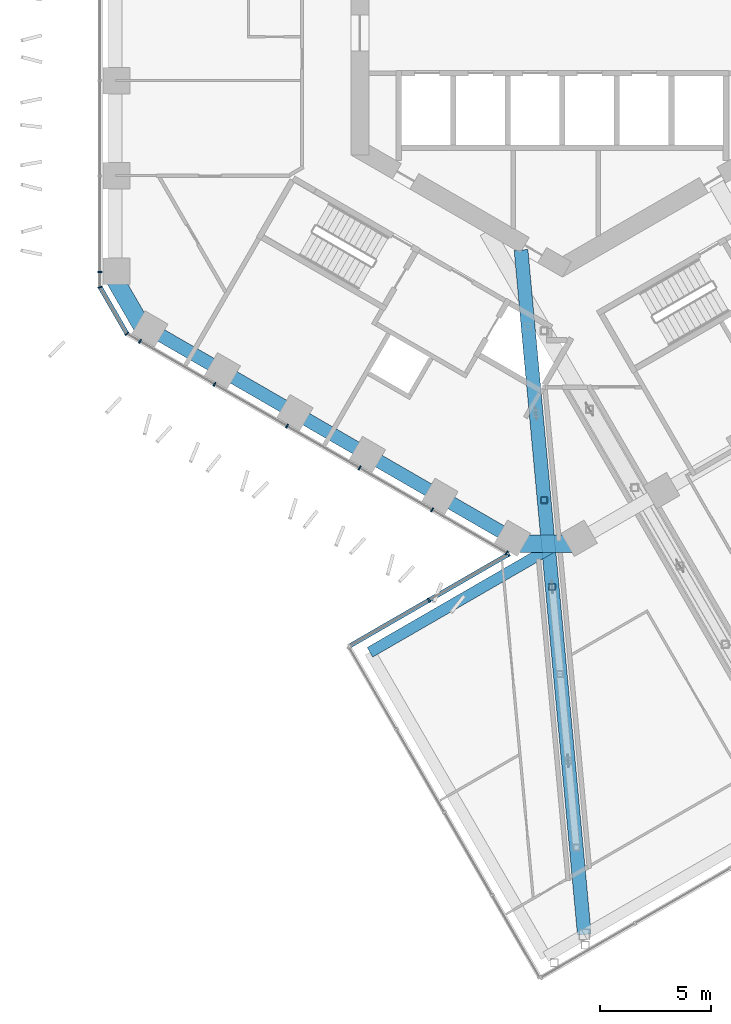
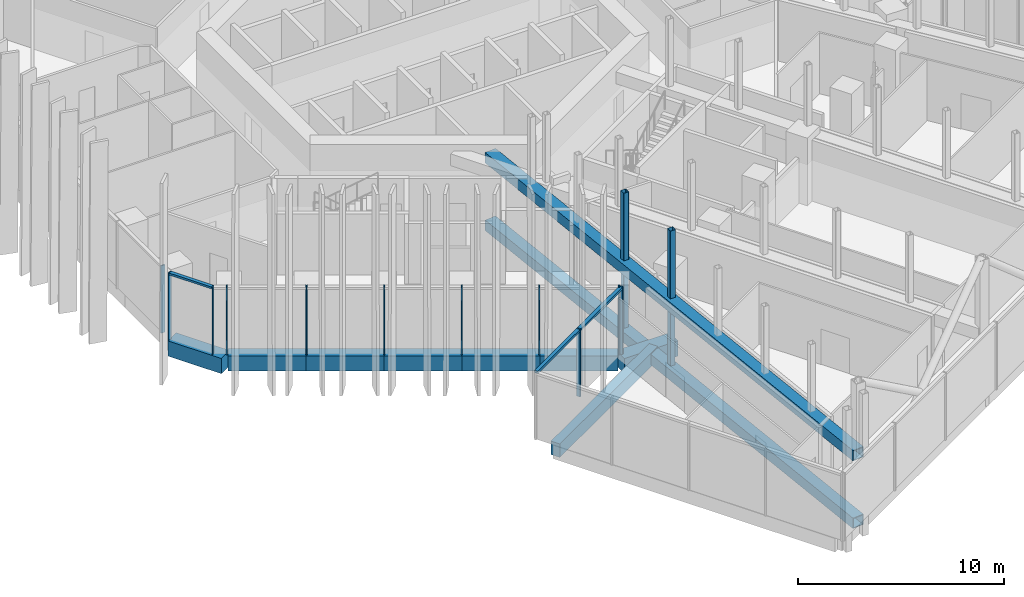
# One storey, part 3 of 29: 19 members, 8 beams, 4 elements without a shape of their own.
"""IFC4 building model written with IfcOpenShell, lengths in metres."""

from ifc_helpers import new_model, si_unit, direction, frame, origin, origin_2d, place, context, subcontext, project, spatial, rectangle, hollow_rectangle, extrude, material, layer, layer_set, material_profile, profile_set, type_object, element, aggregate, save


model = new_model("IFC4")

# Units and contexts
model_context = context("Model", 3, precision=1e-05, world=origin(), true_north=direction((0.0, 1.0)))
body_context = subcontext(model_context, "Body", "Model", "MODEL_VIEW")
ifc_project = project(units=[si_unit("LENGTHUNIT", "METRE"), si_unit("AREAUNIT", "SQUARE_METRE"), si_unit("VOLUMEUNIT", "CUBIC_METRE"), si_unit("PLANEANGLEUNIT", "RADIAN"), si_unit("MASSUNIT", "GRAM", prefix="KILO")], contexts=[model_context])

# Site, building, storey
site_placement = place(None, origin())
site = spatial("IfcSite", under=ifc_project, at=site_placement, CompositionType="ELEMENT")
building_placement = place(site_placement, origin())
building = spatial("IfcBuilding", under=site, at=building_placement, Name="Ayvan Gate Tower", CompositionType="ELEMENT")
storey_placement = place(building_placement, frame((0.0, 0.0, 66.300048828125)))
storey = spatial("IfcBuildingStorey", under=building, at=storey_placement, Name="L17", CompositionType="ELEMENT", Elevation=66.300048828125)

# Beams
ifc_material_1 = material(Name="Concrete C40/50", Category="concrete")
ifc_material_profile_1 = material_profile(ifc_material_1, rectangle(XDim=0.800048828125, YDim=0.89990234375, at=origin_2d()), Name="RC 800x900")
ifc_profile_set_1 = profile_set([ifc_material_profile_1], Name="Concrete C40/50")
beam_type_1 = type_object("IfcBeamType", Name="Corner spandrel beam RC 800x900 C40/50", PredefinedType="BEAM", material=ifc_profile_set_1)
for number, where, z_axis, x_axis, name in (
    (1, (-20.27783203125, -10.780517578125, -0.85009765625), (0.499990139034, -0.866031096941, 0.0), (0.866031096941, 0.499990139034, 0.0), "SB-L17-24"),
    (2, (-2.197265625, -22.951416015625, -0.85009765625), (1.0, 0.0, 0.0), (0.0, 1.0, 0.0), "SB-L17-30"),
):
    element("IfcBeam", number, at=place(storey_placement, frame(where, z_axis=z_axis, x_axis=x_axis)), inside=storey, type_object=beam_type_1, Name=name, PredefinedType="BEAM", context=body_context, shape_type="SweptSolid", body=[
        extrude(rectangle(XDim=0.800048828125, YDim=0.89990234375, at=origin_2d()), origin(), (0.0, 0.0, 1.0), 3.0),
    ])
ifc_material_profile_2 = material_profile(ifc_material_1, rectangle(XDim=0.5, YDim=0.800048828125, at=origin_2d()), Name="RC 500x800")
ifc_profile_set_2 = profile_set([ifc_material_profile_2], Name="Concrete C40/50")
beam_type_2 = type_object("IfcBeamType", Name="Sky bar edge beam RC 500x800 C40/50", PredefinedType="BEAM", material=ifc_profile_set_2)
beam_1_placement = place(storey_placement, frame((-8.646728515625, -27.823486328125, -0.800048828125), z_axis=(0.866027640354, 0.499996126128, 0.0), x_axis=(-0.499996126128, 0.866027640354, 0.0)))
element("IfcBeam", 3, at=beam_1_placement, inside=storey, type_object=beam_type_2, Name="EB-B1-L17-9", PredefinedType="BEAM", context=body_context, shape_type="SweptSolid", body=[
    extrude(rectangle(XDim=0.5, YDim=0.800048828125, at=origin_2d()), origin(), (0.0, 0.0, 1.0), 9.52392578125),
])

# Members
ifc_material_2 = material(Name="Steel S460ML", Category="steel")
ifc_material_profile_3 = material_profile(ifc_material_2, hollow_rectangle(XDim=0.6201171875, YDim=0.6201171875, WallThickness=0.0400390625, at=origin_2d()), Name="BOX 620x620x40")
ifc_profile_set_3 = profile_set([ifc_material_profile_3], Name="Steel S460ML")
member_type_1 = type_object("IfcMemberType", Name="Sky bar end truss chord B1 BOX 620x620x40", PredefinedType="CHORD", material=ifc_profile_set_3)
for number, where, z_axis, x_axis, name in (
    (4, (-1.859619140625, -9.754638671875, -0.75), (0.092120119857, -0.995747901588, 0.0), (0.995747901588, 0.092120119857, 0.0), "SBT1-1-BC-1"),
    (5, (-1.859619140625, -9.754638671875, 3.25), (0.092120119857, -0.995747901588, 0.0), (0.995747901588, 0.092120119857, 0.0), "SBT1-1-TC-1"),
):
    element("IfcMember", number, at=place(storey_placement, frame(where, z_axis=z_axis, x_axis=x_axis)), inside=storey, type_object=member_type_1, Name=name, PredefinedType="CHORD", context=body_context, shape_type="SweptSolid", body=[
        extrude(hollow_rectangle(XDim=0.6201171875, YDim=0.6201171875, WallThickness=0.0400390625, at=origin_2d()), origin(), (0.0, 0.0, 1.0), 30.88330078125),
    ])
ifc_material_3 = material(Name="Steel S460NH", Category="steel")
ifc_material_profile_4 = material_profile(ifc_material_3, hollow_rectangle(XDim=0.280029296875, YDim=0.280029296875, WallThickness=0.01611328125, InnerFilletRadius=0.01611328125, OuterFilletRadius=0.02392578125, at=origin_2d()), Name="RHS 280x280x16")
ifc_profile_set_4 = profile_set([ifc_material_profile_4], Name="Steel S460NH")
member_type_2 = type_object("IfcMemberType", Name="Sky bar end truss post B1 RHS 280x280x16", PredefinedType="POST", material=ifc_profile_set_4)
for number, where, z_axis, x_axis, name in (
    (6, (-0.820068359375, -20.9912109375, -0.400146484375), (0.0, 0.0, 1.0), (1.0, 0.0, 0.0), "SBT1-1-P-3"),
    (7, (-0.458984375, -24.894287109375, -0.400146484375), (0.0, 0.0, 1.0), (1.0, 0.0, 0.0), "SBT1-1-P-4"),
):
    element("IfcMember", number, at=place(storey_placement, frame(where, z_axis=z_axis, x_axis=x_axis)), inside=storey, type_object=member_type_2, Name=name, PredefinedType="POST", context=body_context, shape_type="SweptSolid", body=[
        extrude(hollow_rectangle(XDim=0.280029296875, YDim=0.280029296875, WallThickness=0.01611328125, InnerFilletRadius=0.01611328125, OuterFilletRadius=0.02392578125, at=origin_2d()), origin(), (0.0, 0.0, 1.0), 3.300048828125),
    ])
ifc_material_profile_5 = material_profile(ifc_material_3, hollow_rectangle(XDim=0.300048828125, YDim=0.300048828125, WallThickness=0.01611328125, InnerFilletRadius=0.01611328125, OuterFilletRadius=0.02392578125, at=origin_2d()), Name="RHS 300x300x16")
ifc_profile_set_5 = profile_set([ifc_material_profile_5], Name="Steel S460NH")
member_type_3 = type_object("IfcMemberType", Name="Sky bar upper post B1 RHS 300x300x16", PredefinedType="POST", material=ifc_profile_set_5)
for number, where, z_axis, x_axis, name in (
    (8, (-0.820068359375, -20.9912109375, 3.599853515625), (0.0, 0.0, 1.0), (1.0, 0.0, 0.0), "SBT1-1-U-3"),
    (9, (-0.458984375, -24.894287109375, 3.599853515625), (0.0, 0.0, 1.0), (1.0, 0.0, 0.0), "SBT1-1-U-4"),
):
    element("IfcMember", number, at=place(storey_placement, frame(where, z_axis=z_axis, x_axis=x_axis)), inside=storey, type_object=member_type_3, Name=name, PredefinedType="POST", context=body_context, shape_type="SweptSolid", body=[
        extrude(hollow_rectangle(XDim=0.300048828125, YDim=0.300048828125, WallThickness=0.01611328125, InnerFilletRadius=0.01611328125, OuterFilletRadius=0.02392578125, at=origin_2d()), origin(), (0.0, 0.0, 1.0), 4.0),
    ])

# Beams
ifc_material_profile_6 = material_profile(ifc_material_1, rectangle(XDim=0.60009765625, YDim=0.89990234375, at=origin_2d()), Name="RC 600x900")
ifc_profile_set_6 = profile_set([ifc_material_profile_6], Name="Concrete C40/50")
beam_type_3 = type_object("IfcBeamType", Name="Spandrel beam RC 600x900 C40/50", PredefinedType="BEAM", material=ifc_profile_set_6)
beam_2_placement = place(storey_placement, frame((-18.587158203125, -13.2685546875, -0.85009765625), z_axis=(0.866011569904, -0.500023960219, 0.0), x_axis=(0.500023960219, 0.866011569904, 0.0)))
element("IfcBeam", 10, at=beam_2_placement, inside=storey, type_object=beam_type_3, Name="SB-L17-25", PredefinedType="BEAM", context=body_context, shape_type="SweptSolid", body=[
    extrude(rectangle(XDim=0.60009765625, YDim=0.89990234375, at=origin_2d()), origin(), (0.0, 0.0, 1.0), 3.784912109375),
])
beam_3_placement = place(storey_placement, frame((-15.309326171875, -15.1611328125, -0.85009765625), z_axis=(0.866027695742, -0.499996030192, 0.0), x_axis=(0.499996030192, 0.866027695742, 0.0)))
element("IfcBeam", 11, at=beam_3_placement, inside=storey, type_object=beam_type_3, Name="SB-L17-26", PredefinedType="BEAM", context=body_context, shape_type="SweptSolid", body=[
    extrude(rectangle(XDim=0.60009765625, YDim=0.89990234375, at=origin_2d()), origin(), (0.0, 0.0, 1.0), 3.78515625),
])
beam_4_placement = place(storey_placement, frame((-12.03125, -17.0537109375, -0.85009765625), z_axis=(0.866011569904, -0.500023960219, 0.0), x_axis=(0.500023960219, 0.866011569904, 0.0)))
element("IfcBeam", 12, at=beam_4_placement, inside=storey, type_object=beam_type_3, Name="SB-L17-27", PredefinedType="BEAM", context=body_context, shape_type="SweptSolid", body=[
    extrude(rectangle(XDim=0.60009765625, YDim=0.89990234375, at=origin_2d()), origin(), (0.0, 0.0, 1.0), 3.784912109375),
])
for number, where, z_axis, x_axis, name in (
    (13, (-8.75341796875, -18.9462890625, -0.85009765625), (0.866027695742, -0.499996030192, 0.0), (0.499996030192, 0.866027695742, 0.0), "SB-L17-28"),
    (14, (-5.475341796875, -20.8388671875, -0.85009765625), (0.866027695742, -0.499996030192, 0.0), (0.499996030192, 0.866027695742, 0.0), "SB-L17-29"),
):
    element("IfcBeam", number, at=place(storey_placement, frame(where, z_axis=z_axis, x_axis=x_axis)), inside=storey, type_object=beam_type_3, Name=name, PredefinedType="BEAM", context=body_context, shape_type="SweptSolid", body=[
        extrude(rectangle(XDim=0.60009765625, YDim=0.89990234375, at=origin_2d()), origin(), (0.0, 0.0, 1.0), 3.78515625),
    ])

# Curtain wall, member
ifc_material_4 = material(Name="Bronze anodised aluminium", Category="aluminium")
ifc_layer_1 = layer(ifc_material_4, 0.199951171875)
ifc_layer_set_1 = layer_set([ifc_layer_1], Name="Bronze anodised aluminium")
curtain_wall_type_1 = type_object("IfcCurtainWallType", Name="Stick curtain wall CW-1", PredefinedType="NOTDEFINED", material=ifc_layer_set_1)
curtain_wall_1_placement = place(storey_placement, origin())
curtain_wall_1 = element("IfcCurtainWall", 15, at=curtain_wall_1_placement, inside=storey, type_object=curtain_wall_type_1, Name="Stick curtain wall CW-1 L17", PredefinedType="NOTDEFINED")
ifc_material_profile_7 = material_profile(ifc_material_4, rectangle(XDim=0.199951171875, YDim=0.06005859375, at=origin_2d()), Name="Stick curtain wall CW-1 mullion 200 x 60")
ifc_profile_set_7 = profile_set([ifc_material_profile_7], Name="Bronze anodised aluminium")
member_type_4 = type_object("IfcMemberType", Name="Stick curtain wall CW-1 mullion 200 x 60", PredefinedType="MULLION", material=ifc_profile_set_7)
member_1_placement = place(storey_placement, frame((-20.7724609375, -10.7412109375, 0.0), z_axis=(0.0, 0.0, 1.0), x_axis=(-1.0, 0.0, 0.0)))
member_1 = element("IfcMember", 16, at=member_1_placement, type_object=member_type_4, Name="CW-1 mullion 6", PredefinedType="MULLION", context=body_context, shape_type="SweptSolid", body=[
    extrude(rectangle(XDim=0.199951171875, YDim=0.06005859375, at=origin_2d()), origin(), (0.0, 0.0, 1.0), 4.0),
])
aggregate(curtain_wall_1, [member_1])

# Curtain wall, members
curtain_wall_2_placement = place(storey_placement, origin())
curtain_wall_2 = element("IfcCurtainWall", 17, at=curtain_wall_2_placement, inside=storey, type_object=curtain_wall_type_1, Name="Stick curtain wall CW-1 L17", PredefinedType="NOTDEFINED")
member_2_placement = place(storey_placement, frame((-18.976318359375, -13.852294921875, 0.0), z_axis=(0.0, 0.0, 1.0), x_axis=(-0.5, -0.866025403784, 0.0)))
member_2 = element("IfcMember", 18, at=member_2_placement, type_object=member_type_4, Name="CW-1 mullion 1", PredefinedType="MULLION", context=body_context, shape_type="SweptSolid", body=[
    extrude(rectangle(XDim=0.199951171875, YDim=0.06005859375, at=origin_2d()), origin(), (0.0, 0.0, 1.0), 4.0),
])
member_3_placement = place(storey_placement, frame((-15.629150390625, -15.784912109375, 0.0), z_axis=(0.0, 0.0, 1.0), x_axis=(-0.5, -0.866025403784, 0.0)))
member_3 = element("IfcMember", 19, at=member_3_placement, type_object=member_type_4, Name="CW-1 mullion 2", PredefinedType="MULLION", context=body_context, shape_type="SweptSolid", body=[
    extrude(rectangle(XDim=0.199951171875, YDim=0.06005859375, at=origin_2d()), origin(), (0.0, 0.0, 1.0), 4.0),
])
member_4_placement = place(storey_placement, frame((-12.37109375, -17.665771484375, 0.0), z_axis=(0.0, 0.0, 1.0), x_axis=(-0.5, -0.866025403784, 0.0)))
member_4 = element("IfcMember", 20, at=member_4_placement, type_object=member_type_4, Name="CW-1 mullion 3", PredefinedType="MULLION", context=body_context, shape_type="SweptSolid", body=[
    extrude(rectangle(XDim=0.199951171875, YDim=0.06005859375, at=origin_2d()), origin(), (0.0, 0.0, 1.0), 4.0),
])
member_5_placement = place(storey_placement, frame((-9.113037109375, -19.546875, 0.0), z_axis=(0.0, 0.0, 1.0), x_axis=(-0.5, -0.866025403784, 0.0)))
member_5 = element("IfcMember", 21, at=member_5_placement, type_object=member_type_4, Name="CW-1 mullion 4", PredefinedType="MULLION", context=body_context, shape_type="SweptSolid", body=[
    extrude(rectangle(XDim=0.199951171875, YDim=0.06005859375, at=origin_2d()), origin(), (0.0, 0.0, 1.0), 4.0),
])
member_6_placement = place(storey_placement, frame((-5.855224609375, -21.427734375, 0.0), z_axis=(0.0, 0.0, 1.0), x_axis=(-0.5, -0.866025403784, 0.0)))
member_6 = element("IfcMember", 22, at=member_6_placement, type_object=member_type_4, Name="CW-1 mullion 5", PredefinedType="MULLION", context=body_context, shape_type="SweptSolid", body=[
    extrude(rectangle(XDim=0.199951171875, YDim=0.06005859375, at=origin_2d()), origin(), (0.0, 0.0, 1.0), 4.0),
])
member_7_placement = place(storey_placement, frame((-2.50830078125, -23.360107421875, 0.0), z_axis=(0.0, 0.0, 1.0), x_axis=(-0.5, -0.866025403784, 0.0)))
member_7 = element("IfcMember", 23, at=member_7_placement, type_object=member_type_4, Name="CW-1 mullion 6", PredefinedType="MULLION", context=body_context, shape_type="SweptSolid", body=[
    extrude(rectangle(XDim=0.199951171875, YDim=0.06005859375, at=origin_2d()), origin(), (0.0, 0.0, 1.0), 4.0),
])
aggregate(curtain_wall_2, [member_2, member_3, member_4, member_5, member_6, member_7])

ifc_layer_2 = layer(ifc_material_4, 0.199951171875)
ifc_layer_set_2 = layer_set([ifc_layer_2], Name="Bronze anodised aluminium")
curtain_wall_type_2 = type_object("IfcCurtainWallType", Name="Stick curtain wall CW-4", PredefinedType="NOTDEFINED", material=ifc_layer_set_2)
curtain_wall_3_placement = place(storey_placement, origin())
curtain_wall_3 = element("IfcCurtainWall", 24, at=curtain_wall_3_placement, inside=storey, type_object=curtain_wall_type_2, Name="Stick curtain wall CW-4 L17", PredefinedType="NOTDEFINED")
ifc_material_profile_8 = material_profile(ifc_material_4, rectangle(XDim=0.199951171875, YDim=0.080078125, at=origin_2d()), Name="Stick curtain wall CW-4 mullion 200 x 80")
ifc_profile_set_8 = profile_set([ifc_material_profile_8], Name="Bronze anodised aluminium")
member_type_5 = type_object("IfcMemberType", Name="Stick curtain wall CW-4 mullion 200 x 80", PredefinedType="MULLION", material=ifc_profile_set_8)
member_8_placement = place(storey_placement, frame((-2.421142578125, -23.4208984375, 0.0), z_axis=(0.0, 0.0, 1.0), x_axis=(-0.5, 0.866025403784, 0.0)))
member_8 = element("IfcMember", 25, at=member_8_placement, type_object=member_type_5, Name="CW-4 mullion 1", PredefinedType="MULLION", context=body_context, shape_type="SweptSolid", body=[
    extrude(rectangle(XDim=0.199951171875, YDim=0.080078125, at=origin_2d()), origin(), (0.0, 0.0, 1.0), 4.0),
])
member_9_placement = place(storey_placement, frame((-5.99462890625, -25.48388671875, 0.0), z_axis=(0.0, 0.0, 1.0), x_axis=(-0.5, 0.866025403784, 0.0)))
member_9 = element("IfcMember", 26, at=member_9_placement, type_object=member_type_5, Name="CW-4 mullion 2", PredefinedType="MULLION", context=body_context, shape_type="SweptSolid", body=[
    extrude(rectangle(XDim=0.199951171875, YDim=0.080078125, at=origin_2d()), origin(), (0.0, 0.0, 1.0), 4.0),
])
ifc_material_profile_9 = material_profile(ifc_material_4, rectangle(XDim=0.199951171875, YDim=0.139892578125, at=origin_2d()), Name="Stick curtain wall CW-4 transom 200 x 140")
ifc_profile_set_9 = profile_set([ifc_material_profile_9], Name="Bronze anodised aluminium")
member_type_6 = type_object("IfcMemberType", Name="Stick curtain wall CW-4 transom 200 x 140", PredefinedType="USERDEFINED", material=ifc_profile_set_9)
member_10_placement = place(storey_placement, frame((-2.421142578125, -23.4208984375, 3.929931640625), z_axis=(-0.86603730546, -0.499979385127, 0.0), x_axis=(0.499979385127, -0.86603730546, 0.0)))
member_10 = element("IfcMember", 27, at=member_10_placement, type_object=member_type_6, Name="CW-4 transom 1", ObjectType="TRANSOM", PredefinedType="USERDEFINED", context=body_context, shape_type="SweptSolid", body=[
    extrude(rectangle(XDim=0.199951171875, YDim=0.139892578125, at=origin_2d()), origin(), (0.0, 0.0, 1.0), 8.252685546875),
])
aggregate(curtain_wall_3, [member_8, member_9, member_10])

ifc_layer_3 = layer(ifc_material_4, 0.199951171875)
ifc_layer_set_3 = layer_set([ifc_layer_3], Name="Bronze anodised aluminium")
curtain_wall_type_3 = type_object("IfcCurtainWallType", Name="Stick curtain wall CW-6", PredefinedType="NOTDEFINED", material=ifc_layer_set_3)
curtain_wall_4_placement = place(storey_placement, origin())
curtain_wall_4 = element("IfcCurtainWall", 28, at=curtain_wall_4_placement, inside=storey, type_object=curtain_wall_type_3, Name="Stick curtain wall CW-6 L17", PredefinedType="NOTDEFINED")
ifc_material_profile_10 = material_profile(ifc_material_4, rectangle(XDim=0.199951171875, YDim=0.050048828125, at=origin_2d()), Name="Stick curtain wall CW-6 mullion 200 x 50")
ifc_profile_set_10 = profile_set([ifc_material_profile_10], Name="Bronze anodised aluminium")
member_type_7 = type_object("IfcMemberType", Name="Stick curtain wall CW-6 mullion 200 x 50", PredefinedType="MULLION", material=ifc_profile_set_10)
member_11_placement = place(storey_placement, frame((-20.7724609375, -11.42138671875, 0.0), z_axis=(0.0, 0.0, 1.0), x_axis=(-0.965925826289, -0.258819045103, 0.0)))
member_11 = element("IfcMember", 29, at=member_11_placement, type_object=member_type_7, Name="CW-6 mullion 2", PredefinedType="MULLION", context=body_context, shape_type="SweptSolid", body=[
    extrude(rectangle(XDim=0.199951171875, YDim=0.050048828125, at=origin_2d()), origin(), (0.0, 0.0, 1.0), 4.0),
])
member_12_placement = place(storey_placement, frame((-19.565185546875, -13.512451171875, 0.0), z_axis=(0.0, 0.0, 1.0), x_axis=(-0.707106781187, -0.707106781187, 0.0)))
member_12 = element("IfcMember", 30, at=member_12_placement, type_object=member_type_7, Name="CW-6 mullion 3", PredefinedType="MULLION", context=body_context, shape_type="SweptSolid", body=[
    extrude(rectangle(XDim=0.199951171875, YDim=0.050048828125, at=origin_2d()), origin(), (0.0, 0.0, 1.0), 4.0),
])
ifc_material_profile_11 = material_profile(ifc_material_4, rectangle(XDim=0.199951171875, YDim=0.1201171875, at=origin_2d()), Name="Stick curtain wall CW-6 transom 200 x 120")
ifc_profile_set_11 = profile_set([ifc_material_profile_11], Name="Bronze anodised aluminium")
member_type_8 = type_object("IfcMemberType", Name="Stick curtain wall CW-6 transom 200 x 120", PredefinedType="USERDEFINED", material=ifc_profile_set_11)
member_13_placement = place(storey_placement, frame((-20.760009765625, -11.44287109375, 3.93994140625), z_axis=(0.500014398087, -0.866017090885, 0.0), x_axis=(0.866017090885, 0.500014398087, 0.0)))
member_13 = element("IfcMember", 31, at=member_13_placement, type_object=member_type_8, Name="CW-6 transom 2", ObjectType="TRANSOM", PredefinedType="USERDEFINED", context=body_context, shape_type="SweptSolid", body=[
    extrude(rectangle(XDim=0.199951171875, YDim=0.1201171875, at=origin_2d()), origin(), (0.0, 0.0, 1.0), 2.36474609375),
])
aggregate(curtain_wall_4, [member_11, member_12, member_13])

save(model, "model.ifc")
